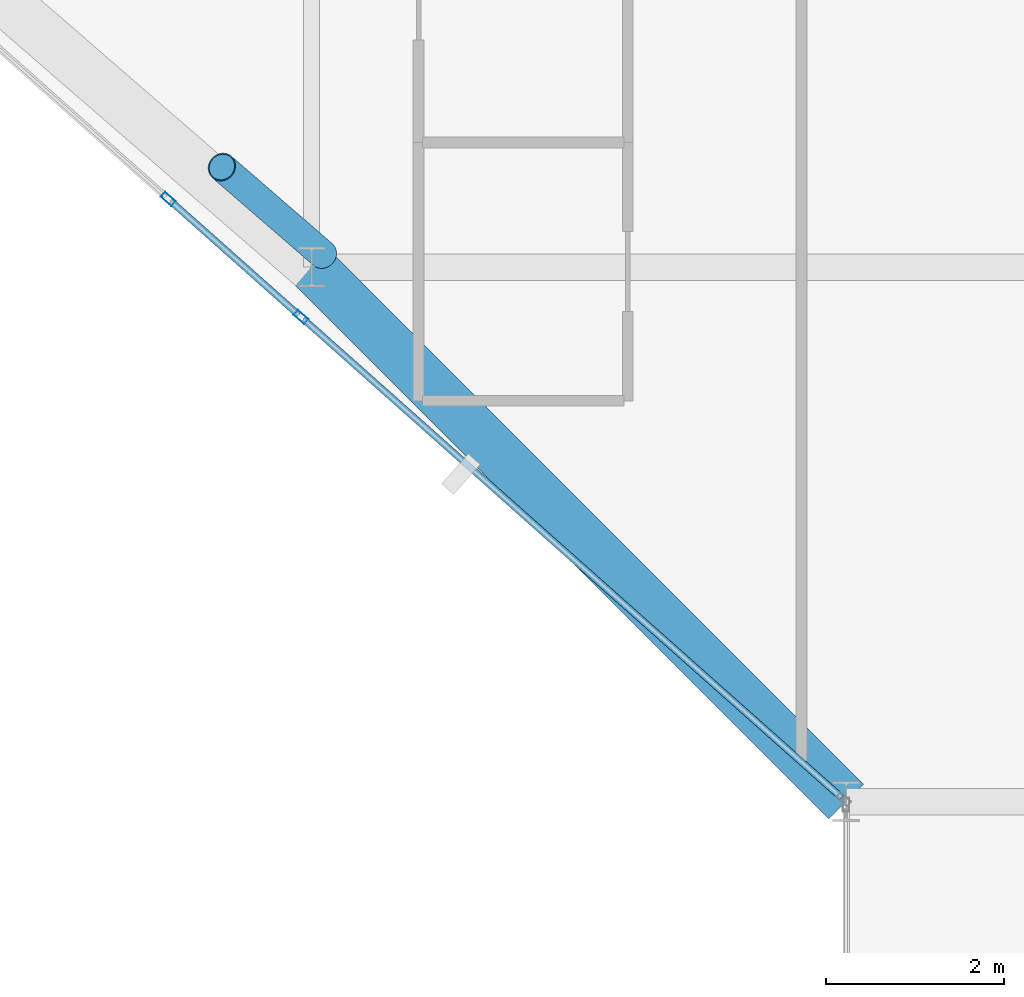
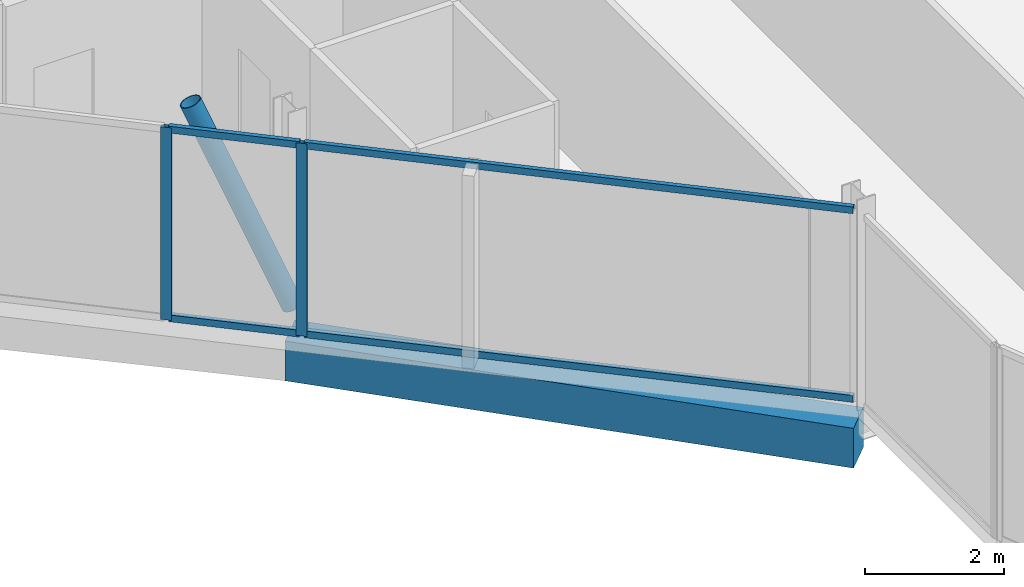
# One storey, part 4 of 29: 7 members, 1 beam, 2 elements without a shape of their own.
"""IFC4 building model written with IfcOpenShell, lengths in metres."""

from ifc_helpers import new_model, si_unit, direction, frame, origin, origin_2d, place, context, subcontext, project, spatial, rectangle, hollow_rectangle, hollow_circle, extrude, material, layer, layer_set, material_profile, profile_set, type_object, element, aggregate, save


model = new_model("IFC4")

# Units and contexts
model_context = context("Model", 3, precision=1e-05, world=origin(), true_north=direction((0.0, 1.0)))
body_context = subcontext(model_context, "Body", "Model", "MODEL_VIEW")
ifc_project = project(units=[si_unit("LENGTHUNIT", "METRE"), si_unit("AREAUNIT", "SQUARE_METRE"), si_unit("VOLUMEUNIT", "CUBIC_METRE"), si_unit("PLANEANGLEUNIT", "RADIAN"), si_unit("MASSUNIT", "GRAM", prefix="KILO")], contexts=[model_context])

# Site, building, storey
site_placement = place(None, origin())
site = spatial("IfcSite", under=ifc_project, at=site_placement, CompositionType="ELEMENT")
building_placement = place(site_placement, origin())
building = spatial("IfcBuilding", under=site, at=building_placement, Name="Keshet Zoharim Tower", CompositionType="ELEMENT")
storey_placement = place(building_placement, frame((0.0, 0.0, 195.800048828125)))
storey = spatial("IfcBuildingStorey", under=building, at=storey_placement, Name="L48", CompositionType="ELEMENT", Elevation=195.800048828125)

# Beam
ifc_material_1 = material(Name="Concrete C50/60", Category="concrete")
ifc_material_profile_1 = material_profile(ifc_material_1, rectangle(XDim=0.550048828125, YDim=0.699951171875, at=origin_2d()), Name="RC700x550")
ifc_profile_set_1 = profile_set([ifc_material_profile_1], Name="Concrete C50/60")
beam_type = type_object("IfcBeamType", Name="BM-SPN-700", PredefinedType="SPANDREL", material=ifc_profile_set_1)
beam_placement = place(storey_placement, frame((21.0, 6.699951171875, -0.66015625), z_axis=(-0.707106781187, 0.707106781187, 0.0), x_axis=(-0.707106781187, -0.707106781187, 0.0)))
element("IfcBeam", 1, at=beam_placement, inside=storey, type_object=beam_type, Name="L48 Perimeter Spandrel Beam 01", PredefinedType="SPANDREL", context=body_context, shape_type="SweptSolid", body=[
    extrude(rectangle(XDim=0.550048828125, YDim=0.699951171875, at=origin_2d()), origin(), (0.0, 0.0, 1.0), 8.4853515625),
])

# Curtain wall, member
ifc_material_2 = material(Name="Aluminium 6063-T6", Category="aluminium")
ifc_layer = layer(ifc_material_2, 0.139892578125)
ifc_layer_set = layer_set([ifc_layer], Name="Aluminium 6063-T6")
curtain_wall_type = type_object("IfcCurtainWallType", Name="CW-SYS-05", PredefinedType="NOTDEFINED", material=ifc_layer_set)
curtain_wall_1_placement = place(storey_placement, origin())
curtain_wall_1 = element("IfcCurtainWall", 2, at=curtain_wall_1_placement, inside=storey, type_object=curtain_wall_type, Name="L48 Unitised Curtain Wall 10", PredefinedType="NOTDEFINED")
ifc_material_profile_2 = material_profile(ifc_material_2, hollow_rectangle(XDim=0.074951171875, YDim=0.159912109375, WallThickness=0.00390625, at=origin_2d()), Name="MUL-75x160")
ifc_profile_set_2 = profile_set([ifc_material_profile_2], Name="Aluminium 6063-T6")
member_type_1 = type_object("IfcMemberType", Name="CWM-M15", PredefinedType="MULLION", material=ifc_profile_set_2)
member_1_placement = place(storey_placement, frame((14.88037109375, 12.1396484375, 0.0), z_axis=(0.0, 0.0, 1.0), x_axis=(-0.664367613066, -0.74740596379, 0.0)))
member_1 = element("IfcMember", 3, at=member_1_placement, type_object=member_type_1, Name="CW-05 mullion 2", PredefinedType="MULLION", context=body_context, shape_type="SweptSolid", body=[
    extrude(hollow_rectangle(XDim=0.074951171875, YDim=0.159912109375, WallThickness=0.00390625, at=origin_2d()), origin(), (0.0, 0.0, 1.0), 3.389892578125),
])

curtain_wall_2_placement = place(storey_placement, origin())
curtain_wall_2 = element("IfcCurtainWall", 4, at=curtain_wall_2_placement, inside=storey, type_object=curtain_wall_type, Name="L48 Unitised Curtain Wall 10 Part 2", PredefinedType="NOTDEFINED")
member_2_placement = place(storey_placement, frame((13.388427734375, 13.4658203125, 0.0), z_axis=(0.0, 0.0, 1.0), x_axis=(-0.664329634314, -0.747439721297, 0.0)))
member_2 = element("IfcMember", 5, at=member_2_placement, type_object=member_type_1, Name="CW-05 mullion 2", PredefinedType="MULLION", context=body_context, shape_type="SweptSolid", body=[
    extrude(hollow_rectangle(XDim=0.074951171875, YDim=0.159912109375, WallThickness=0.00390625, at=origin_2d()), origin(), (0.0, 0.0, 1.0), 3.389892578125),
])

# Member
ifc_material_profile_3 = material_profile(ifc_material_2, hollow_rectangle(XDim=0.074951171875, YDim=0.1201171875, WallThickness=0.00390625, at=origin_2d()), Name="TRN-75x120")
ifc_profile_set_3 = profile_set([ifc_material_profile_3], Name="Aluminium 6063-T6")
member_type_2 = type_object("IfcMemberType", Name="CWT-T12", PredefinedType="USERDEFINED", material=ifc_profile_set_3)
member_3_placement = place(storey_placement, frame((20.94775390625, 6.74658203125, 0.034912109375), z_axis=(-0.747404319135, 0.664369463279, 0.0), x_axis=(-0.664369463279, -0.747404319135, 0.0)))
member_3 = element("IfcMember", 6, at=member_3_placement, type_object=member_type_2, Name="CW-05 transom 1.1", ObjectType="TRANSOM", PredefinedType="USERDEFINED", context=body_context, shape_type="SweptSolid", body=[
    extrude(hollow_rectangle(XDim=0.074951171875, YDim=0.1201171875, WallThickness=0.00390625, at=origin_2d()), origin(), (0.0, 0.0, 1.0), 8.082763671875),
])

member_4_placement = place(storey_placement, frame((20.94775390625, 6.74658203125, 3.35498046875), z_axis=(-0.747404319135, 0.664369463279, 0.0), x_axis=(-0.664369463279, -0.747404319135, 0.0)))
member_4 = element("IfcMember", 7, at=member_4_placement, type_object=member_type_2, Name="CW-05 transom 1.2", ObjectType="TRANSOM", PredefinedType="USERDEFINED", context=body_context, shape_type="SweptSolid", body=[
    extrude(hollow_rectangle(XDim=0.074951171875, YDim=0.1201171875, WallThickness=0.00390625, at=origin_2d()), origin(), (0.0, 0.0, 1.0), 8.082763671875),
])

aggregate(curtain_wall_1, [member_1, member_3, member_4])

member_5_placement = place(storey_placement, frame((14.854248046875, 12.162841796875, 0.034912109375), z_axis=(-0.747458269264, 0.664308765341, 0.0), x_axis=(-0.664308765341, -0.747458269264, 0.0)))
member_5 = element("IfcMember", 8, at=member_5_placement, type_object=member_type_2, Name="CW-05 transom 1.1", ObjectType="TRANSOM", PredefinedType="USERDEFINED", context=body_context, shape_type="SweptSolid", body=[
    extrude(hollow_rectangle(XDim=0.074951171875, YDim=0.1201171875, WallThickness=0.00390625, at=origin_2d()), origin(), (0.0, 0.0, 1.0), 1.926025390625),
])

member_6_placement = place(storey_placement, frame((14.854248046875, 12.162841796875, 3.35498046875), z_axis=(-0.747458269264, 0.664308765341, 0.0), x_axis=(-0.664308765341, -0.747458269264, 0.0)))
member_6 = element("IfcMember", 9, at=member_6_placement, type_object=member_type_2, Name="CW-05 transom 1.2", ObjectType="TRANSOM", PredefinedType="USERDEFINED", context=body_context, shape_type="SweptSolid", body=[
    extrude(hollow_rectangle(XDim=0.074951171875, YDim=0.1201171875, WallThickness=0.00390625, at=origin_2d()), origin(), (0.0, 0.0, 1.0), 1.926025390625),
])

aggregate(curtain_wall_2, [member_2, member_5, member_6])

ifc_material_3 = material(Name="Steel S355", Category="steel")
ifc_material_profile_4 = material_profile(ifc_material_3, hollow_circle(Radius=0.161865234375, WallThickness=0.012451171875, at=origin_2d()), Name="CHS323x12.5")
ifc_profile_set_4 = profile_set([ifc_material_profile_4], Name="Steel S355")
member_type_3 = type_object("IfcMemberType", Name="MB-BR-C323", PredefinedType="BRACE", material=ifc_profile_set_4)
member_7_placement = place(storey_placement, frame((15.1259765625, 12.842041015625, 0.0), z_axis=(-0.305919508672, 0.264888754334, 0.914465528077), x_axis=(-0.654589683411, -0.755984355904, 0.0)))
element("IfcMember", 10, at=member_7_placement, inside=storey, type_object=member_type_3, Name="L48 Perimeter Tube Brace 01", PredefinedType="BRACE", context=body_context, shape_type="SweptSolid", body=[
    extrude(hollow_circle(Radius=0.161865234375, WallThickness=0.012451171875, at=origin_2d()), origin(), (0.0, 0.0, 1.0), 3.70703125),
])

save(model, "model.ifc")
